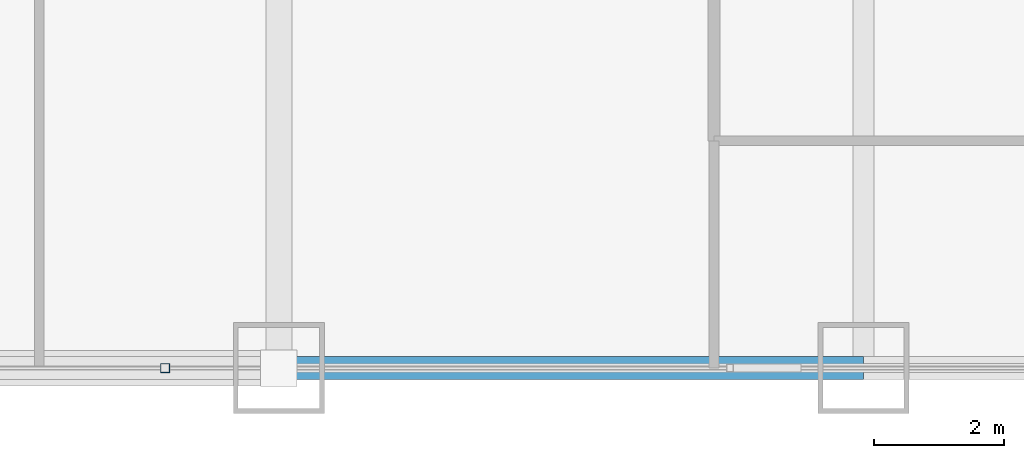
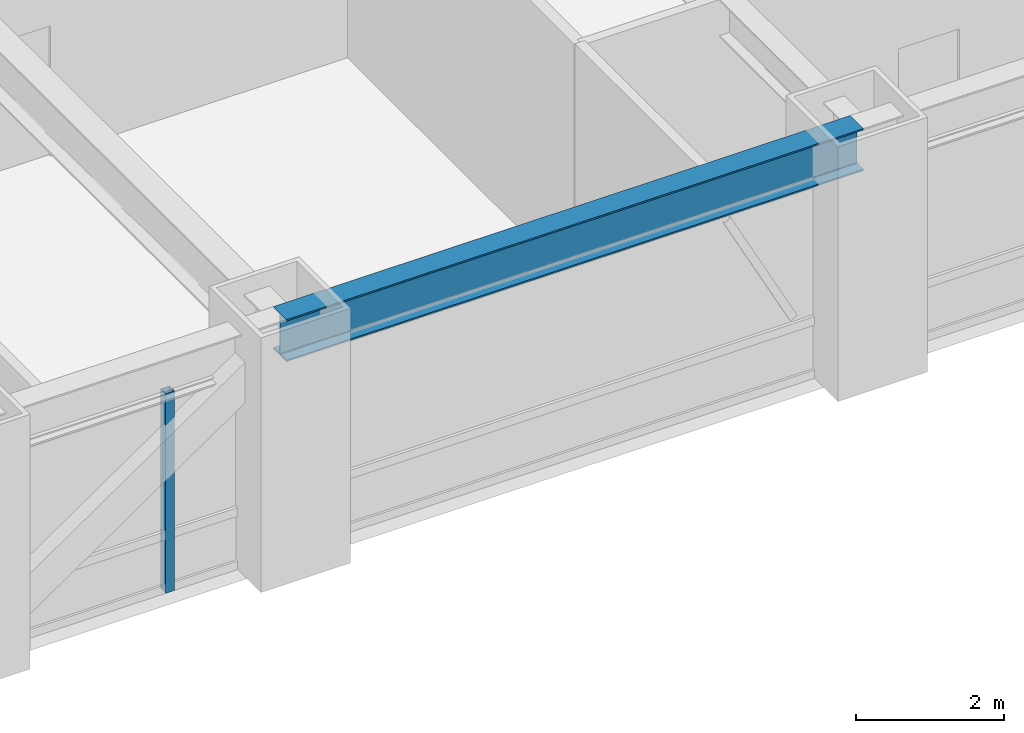
# One storey, part 8 of 28: 1 beam, 1 member, 1 element without a shape of its own.
"""IFC4 building model written with IfcOpenShell, lengths in metres."""

from ifc_helpers import new_model, si_unit, direction, frame, origin, origin_2d, place, context, subcontext, project, spatial, hollow_rectangle, i_section, extrude, source, transform, mapped, material, material_profile, profile_set, type_object, element, aggregate, save


model = new_model("IFC4")

# Units and contexts
model_context = context("Model", 3, precision=1e-05, world=origin(), true_north=direction((0.0, 1.0)))
body_context = subcontext(model_context, "Body", "Model", "MODEL_VIEW")
ifc_project = project(units=[si_unit("LENGTHUNIT", "METRE"), si_unit("AREAUNIT", "SQUARE_METRE"), si_unit("VOLUMEUNIT", "CUBIC_METRE"), si_unit("PLANEANGLEUNIT", "RADIAN"), si_unit("MASSUNIT", "GRAM", prefix="KILO")], contexts=[model_context])

# Site, building, storey
site_placement = place(None, origin())
site = spatial("IfcSite", under=ifc_project, at=site_placement, CompositionType="ELEMENT")
building_placement = place(site_placement, origin())
building = spatial("IfcBuilding", under=site, at=building_placement, Name="Khorayat Bourse Tower", CompositionType="ELEMENT")
storey_placement = place(building_placement, frame((0.0, 0.0, 62.0)))
storey = spatial("IfcBuildingStorey", under=building, at=storey_placement, Name="L13", CompositionType="ELEMENT", Elevation=62.0)

# Beam
ifc_material_1 = material(Name="Steel ASTM A992 Grade 50", Category="steel")
ifc_material_profile_1 = material_profile(ifc_material_1, i_section(OverallWidth=0.35498046875, OverallDepth=0.695068359375, WebThickness=0.015380859375, FlangeThickness=0.02490234375, FilletRadius=0.01806640625, at=origin_2d()), Name="W690X217")
ifc_profile_set_1 = profile_set([ifc_material_profile_1], Name="Steel ASTM A992 Grade 50")
beam_type = type_object("IfcBeamType", Name="BM-SPAN-690", PredefinedType="SPANDREL", material=ifc_profile_set_1)
shared_shape_1 = source(origin(), body_context, "Body", "SweptSolid", [
    extrude(i_section(OverallWidth=0.35498046875, OverallDepth=0.695068359375, WebThickness=0.015380859375, FlangeThickness=0.02490234375, FilletRadius=0.01806640625, at=origin_2d()), origin(), (0.0, 0.0, 1.0), 9.0),
])
beam_placement = place(storey_placement, frame((11.0, -32.0, 3.592529296875), z_axis=(1.0, 0.0, 0.0), x_axis=(0.0, 1.0, 0.0)))
element("IfcBeam", 1, at=beam_placement, inside=storey, type_object=beam_type, Name="L13 BM-SPAN-690 BM-L13-SPN-030", PredefinedType="SPANDREL", context=body_context, shape_type="MappedRepresentation", body=[
    mapped(shared_shape_1, transform((0.0, 0.0, 0.0), scale=1.0)),
])

# Curtain wall, member
ifc_material_2 = material(Name="Aluminium EN AW-6063 T6", Category="aluminium")
curtain_wall_type = type_object("IfcCurtainWallType", Name="CW-SYS-02", PredefinedType="NOTDEFINED", material=ifc_material_2)
curtain_wall_placement = place(storey_placement, origin())
curtain_wall = element("IfcCurtainWall", 2, at=curtain_wall_placement, inside=storey, type_object=curtain_wall_type, Name="L13 Curtain Wall CW-L13-S1", PredefinedType="NOTDEFINED")
ifc_material_profile_2 = material_profile(ifc_material_2, hollow_rectangle(XDim=0.139892578125, YDim=0.139892578125, WallThickness=0.006103515625, at=origin_2d()), Name="ALU 140x140x6")
ifc_profile_set_2 = profile_set([ifc_material_profile_2], Name="Aluminium EN AW-6063 T6")
member_type = type_object("IfcMemberType", Name="CWM-VERT-140", PredefinedType="MULLION", material=ifc_profile_set_2)
shared_shape_2 = source(origin(), body_context, "Body", "SweptSolid", [
    extrude(hollow_rectangle(XDim=0.139892578125, YDim=0.139892578125, WallThickness=0.006103515625, at=origin_2d()), origin(), (0.0, 0.0, 1.0), 3.2900390625),
])
member_placement = place(storey_placement, frame((9.25, -32.0, 0.0), z_axis=(0.0, 0.0, 1.0), x_axis=(0.0, 1.0, 0.0)))
member = element("IfcMember", 3, at=member_placement, type_object=member_type, Name="CW-L13-S1 Vertical Mullion 3", PredefinedType="MULLION", context=body_context, shape_type="MappedRepresentation", body=[
    mapped(shared_shape_2, transform((0.0, 0.0, 0.0), scale=1.0)),
])
aggregate(curtain_wall, [member])

save(model, "model.ifc")
